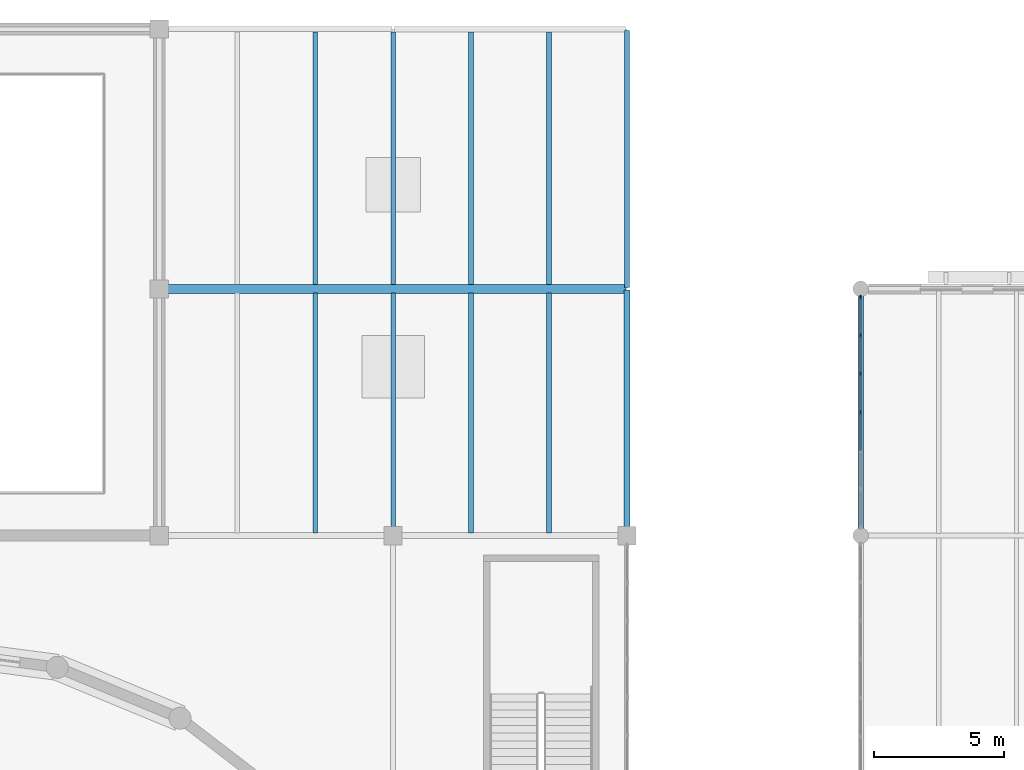
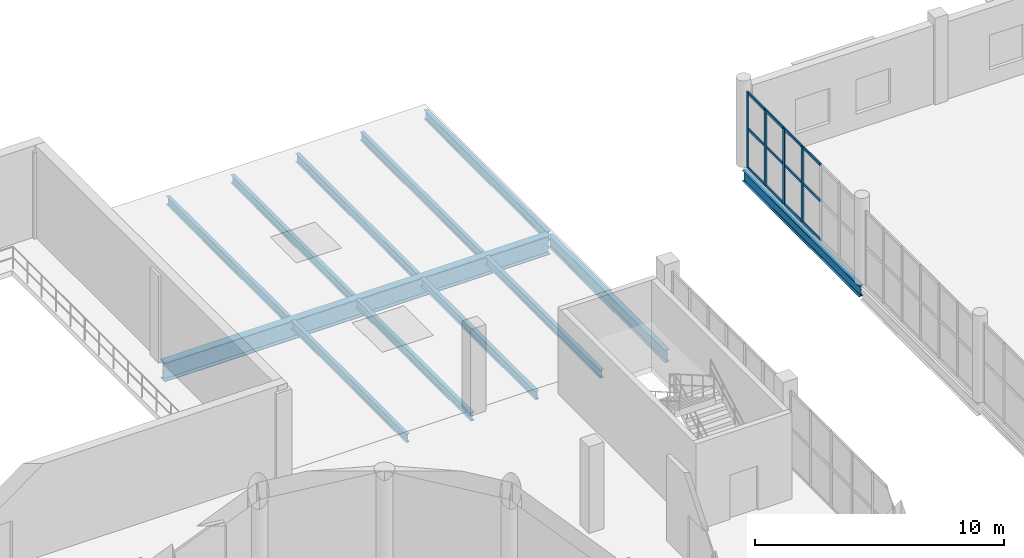
# One storey, part 39 of 73: 16 members, 12 beams, 1 element without a shape of its own.
"""IFC4 building model written with IfcOpenShell, lengths in metres."""

import ifcopenshell
import ifcopenshell.guid

model = None  # the IFC model being written
_history = None  # IfcOwnerHistory: only IFC2X3 demands one
_inside = {}  # id of a spatial element -> (the spatial element, [elements in it])
_under = {}  # id of a project, library or spatial element -> (it, [spatial elements below it])
_declared = {}  # id of a project -> (the project, [libraries it declares])
_typed = {}  # id of a type object -> (the type object, [elements of that type])
_made_of = {}  # id of a material, layer set ... -> (it, [elements and type objects made of it])


def new_model(schema):
    """Start an empty IFC model of exactly this schema.

    Asked for "IFC4X3", IfcOpenShell would pick the latest addendum, in which some entities
    have other attributes; the version numbers below select the first issue.
    IFC2X3 requires an IfcOwnerHistory on every rooted entity: one is made here for all.
    """
    global model, _history
    if schema == "IFC4X3":
        model = ifcopenshell.file(schema_version=(4, 3, 0, 0))
    else:
        model = ifcopenshell.file(schema=schema)
    _inside.clear()
    _under.clear()
    _declared.clear()
    _typed.clear()
    _made_of.clear()
    _history = None
    if model.schema == "IFC2X3":
        org = make("IfcOrganization", Name="unknown")
        user = make(
            "IfcPersonAndOrganization",
            ThePerson=make("IfcPerson", FamilyName="unknown"),
            TheOrganization=org,
        )
        app = make(
            "IfcApplication",
            ApplicationDeveloper=org,
            Version="unknown",
            ApplicationFullName="unknown",
            ApplicationIdentifier="unknown",
        )
        _history = make(
            "IfcOwnerHistory",
            OwningUser=user,
            OwningApplication=app,
            ChangeAction="ADDED",
            CreationDate=0,
        )
    return model


def make(cls, **values):
    """One entity of the class cls with the attributes given. An attribute that is None is left unset."""
    return model.create_entity(
        cls, **{name: value for name, value in values.items() if value is not None}
    )


def rooted(cls, **values):
    """An entity with a GlobalId (a new one), such as an element, a storey or a relation."""
    return make(cls, GlobalId=ifcopenshell.guid.new(), OwnerHistory=_history, **values)


def si_unit(unit_type, name, prefix=None):
    """IfcSIUnit, for example si_unit("LENGTHUNIT", "METRE", prefix="MILLI")."""
    return make("IfcSIUnit", UnitType=unit_type, Prefix=prefix, Name=name)


def assignment(units):
    """IfcUnitAssignment: the units of a project."""
    return None if units is None else make("IfcUnitAssignment", Units=units)


def point(xyz):
    """IfcCartesianPoint."""
    return None if xyz is None else make("IfcCartesianPoint", Coordinates=xyz)


def direction(xyz):
    """IfcDirection."""
    return None if xyz is None else make("IfcDirection", DirectionRatios=xyz)


def frame(location, z_axis=None, x_axis=None):
    """IfcAxis2Placement3D, a coordinate frame: its origin and axes. An axis left out is left unset."""
    return make(
        "IfcAxis2Placement3D",
        Location=point(location),
        Axis=direction(z_axis),
        RefDirection=direction(x_axis),
    )


def frame_2d(location, x_axis=None):
    """IfcAxis2Placement2D, a coordinate frame in the plane: its origin and x axis."""
    return make(
        "IfcAxis2Placement2D", Location=point(location), RefDirection=direction(x_axis)
    )


def origin():
    """The frame at (0, 0, 0) with its axes left unset."""
    return frame((0.0, 0.0, 0.0))


def origin_2d():
    """The frame at (0, 0) in the plane with its x axis left unset."""
    return frame_2d((0.0, 0.0))


def place(relative_to, where):
    """IfcLocalPlacement: puts the frame where relative to a parent placement (None: the world)."""
    return make(
        "IfcLocalPlacement", PlacementRelTo=relative_to, RelativePlacement=where
    )


def context(
    kind, dimensions, precision=None, world=None, true_north=None, identifier=None
):
    """IfcGeometricRepresentationContext, for example the 3D "Model" context."""
    return make(
        "IfcGeometricRepresentationContext",
        ContextIdentifier=identifier,
        ContextType=kind,
        CoordinateSpaceDimension=dimensions,
        Precision=precision,
        WorldCoordinateSystem=world,
        TrueNorth=true_north,
    )


def subcontext(parent, identifier, kind, view, scale=None):
    """IfcGeometricRepresentationSubContext, for example "Body" below "Model"."""
    return make(
        "IfcGeometricRepresentationSubContext",
        ContextIdentifier=identifier,
        ContextType=kind,
        ParentContext=parent,
        TargetScale=scale,
        TargetView=view,
    )


def project(units=None, contexts=None):
    """IfcProject with its units and contexts."""
    return rooted(
        "IfcProject",
        Name="project",
        RepresentationContexts=contexts,
        UnitsInContext=assignment(units),
    )


def spatial(cls, under=None, at=None, **own):
    """A site, building, storey or space (cls), placed at a placement, below another one or the project."""
    s = rooted(cls, ObjectPlacement=at, **own)
    if under is not None:
        _under.setdefault(under.id(), (under, []))[1].append(s)
    return s


def profile(cls, at=None, kind="AREA", **sizes):
    """A parametric profile (cls). Its sizes go by their IFC names, for example OverallWidth=200.0."""
    return make(cls, ProfileType=kind, Position=at, **sizes)


def rectangle(**sizes):
    """IfcRectangleProfileDef."""
    return profile("IfcRectangleProfileDef", **sizes)


def i_section(**sizes):
    """IfcIShapeProfileDef."""
    return profile("IfcIShapeProfileDef", **sizes)


def extrude(swept, where, along, depth):
    """IfcExtrudedAreaSolid: the profile swept, set in the frame where, extruded along a direction by depth."""
    return make(
        "IfcExtrudedAreaSolid",
        SweptArea=swept,
        Position=where,
        ExtrudedDirection=direction(along),
        Depth=depth,
    )


def shape(context_of_items, identifier, shape_type, items):
    """IfcShapeRepresentation: the items that make up one representation, for example the "Body"."""
    return make(
        "IfcShapeRepresentation",
        ContextOfItems=context_of_items,
        RepresentationIdentifier=identifier,
        RepresentationType=shape_type,
        Items=items,
    )


def material(Name=None, Category=None):
    """IfcMaterial."""
    return make("IfcMaterial", Name=Name, Category=Category)


def layer(
    of_material, thickness, ventilated=None, Name=None, Category=None, Priority=None
):
    """IfcMaterialLayer: one layer of a wall or slab, of a material (None: an air gap)."""
    return make(
        "IfcMaterialLayer",
        Material=of_material,
        LayerThickness=thickness,
        IsVentilated=ventilated,
        Name=Name,
        Category=Category,
        Priority=Priority,
    )


def layer_set(layers, Name=None):
    """IfcMaterialLayerSet."""
    return make("IfcMaterialLayerSet", MaterialLayers=layers, LayerSetName=Name)


def material_profile(
    of_material, cross_section, Name=None, Category=None, Priority=None
):
    """IfcMaterialProfile: a cross section and its material."""
    return make(
        "IfcMaterialProfile",
        Name=Name,
        Material=of_material,
        Profile=cross_section,
        Priority=Priority,
        Category=Category,
    )


def profile_set(profiles, Name=None, composite=None):
    """IfcMaterialProfileSet."""
    return make(
        "IfcMaterialProfileSet",
        Name=Name,
        MaterialProfiles=profiles,
        CompositeProfile=composite,
    )


def made_of(thing, what):
    """Note that an element or type object is made of a material, layer set ...; save() writes the relation."""
    if what is not None:
        _made_of.setdefault(what.id(), (what, []))[1].append(thing)
    return thing


def type_object(cls, material=None, **own):
    """A type object (cls), such as IfcWallType, which elements share."""
    return made_of(rooted(cls, **own), material)


def element(
    cls,
    number,
    at=None,
    inside=None,
    cuts=None,
    type_object=None,
    material=None,
    context=None,
    identifier="Body",
    shape_type=None,
    held_by="IfcProductDefinitionShape",
    body=None,
    shapes=None,
    **own,
):
    """One element of the class cls, such as IfcWall. Its Tag is "e" and its number.

    at: its placement. inside: the storey or other place that contains it. cuts: it is an
    opening in that element (IfcRelVoidsElement). A single representation is given by context,
    identifier, shape_type and body (its items); several are given by shapes. held_by: the class
    of the entity that holds the representations. save() writes the other relations.
    """
    e = rooted(cls, Tag="e%d" % number, ObjectPlacement=at, **own)
    if body is not None:
        shapes = [shape(context, identifier, shape_type, body)]
    if shapes is not None:
        e.Representation = make(held_by, Representations=shapes)
    if inside is not None:
        _inside.setdefault(inside.id(), (inside, []))[1].append(e)
    if cuts is not None:
        rooted(
            "IfcRelVoidsElement", RelatingBuildingElement=cuts, RelatedOpeningElement=e
        )
    if type_object is not None:
        _typed.setdefault(type_object.id(), (type_object, []))[1].append(e)
    return made_of(e, material)


def aggregate(whole, parts):
    """IfcRelAggregates: a whole, such as a stair, and the parts it consists of."""
    return rooted("IfcRelAggregates", RelatingObject=whole, RelatedObjects=parts)


def save(model, path):
    """Write the relations noted so far, then the file.

    IfcRelAggregates (storeys below a building ...), IfcRelContainedInSpatialStructure (elements
    in a storey), IfcRelDefinesByType, IfcRelAssociatesMaterial and IfcRelDeclares: one each for
    every whole, place, type object, material and project.
    """
    for whole, parts in _under.values():
        aggregate(whole, parts)
    for where, things in _inside.values():
        rooted(
            "IfcRelContainedInSpatialStructure",
            RelatedElements=things,
            RelatingStructure=where,
        )
    for kind, things in _typed.values():
        rooted("IfcRelDefinesByType", RelatedObjects=things, RelatingType=kind)
    for what, things in _made_of.values():
        rooted("IfcRelAssociatesMaterial", RelatedObjects=things, RelatingMaterial=what)
    for by, libraries in _declared.values():
        rooted("IfcRelDeclares", RelatingContext=by, RelatedDefinitions=libraries)
    model.write(path)


model = new_model("IFC4")

# Units and contexts
model_context = context("Model", 3, precision=1e-05, world=origin(), true_north=direction((0.0, 1.0)))
body_context = subcontext(model_context, "Body", "Model", "MODEL_VIEW")
ifc_project = project(units=[si_unit("LENGTHUNIT", "METRE"), si_unit("AREAUNIT", "SQUARE_METRE"), si_unit("VOLUMEUNIT", "CUBIC_METRE"), si_unit("PLANEANGLEUNIT", "RADIAN"), si_unit("MASSUNIT", "GRAM", prefix="KILO")], contexts=[model_context])

# Site, building, storey
site_placement = place(None, origin())
site = spatial("IfcSite", under=ifc_project, at=site_placement, CompositionType="ELEMENT")
building_placement = place(site_placement, origin())
building = spatial("IfcBuilding", under=site, at=building_placement, Name="Marnock Terrace Opera House", CompositionType="ELEMENT")
storey_placement = place(building_placement, frame((0.0, 0.0, 14.699951171875)))
storey = spatial("IfcBuildingStorey", under=building, at=storey_placement, Name="L03", CompositionType="ELEMENT", Elevation=14.699951171875)

# Beams
ifc_material_1 = material(Name="Steel Grade 350 (AS/NZS 3679.1)", Category="steel")
ifc_material_profile_1 = material_profile(ifc_material_1, i_section(OverallWidth=0.18994140625, OverallDepth=0.45751953125, WebThickness=0.009033203125, FlangeThickness=0.014404296875, FilletRadius=0.011474609375, at=origin_2d()))
ifc_profile_set_1 = profile_set([ifc_material_profile_1], Name="Steel Grade 350 (AS/NZS 3679.1)")
beam_type_1 = type_object("IfcBeamType", Name="BM-GIRD-460B", PredefinedType="BEAM", material=ifc_profile_set_1)
beam_1_placement = place(storey_placement, frame((109.0, 94.050048828125, -0.44873046875), z_axis=(0.0, 1.0, 0.0), x_axis=(-1.0, 0.0, 0.0)))
element("IfcBeam", 1, at=beam_1_placement, inside=storey, type_object=beam_type_1, Name="L03 girder (X=109.0, 94.0..104.0)", PredefinedType="BEAM", context=body_context, shape_type="SweptSolid", body=[
    extrude(i_section(OverallWidth=0.18994140625, OverallDepth=0.45751953125, WebThickness=0.009033203125, FlangeThickness=0.014404296875, FilletRadius=0.011474609375, at=origin_2d()), origin(), (0.0, 0.0, 1.0), 9.89990234375),
])
ifc_material_profile_2 = material_profile(ifc_material_1, i_section(OverallWidth=0.208984375, OverallDepth=0.528076171875, WebThickness=0.009521484375, FlangeThickness=0.01318359375, FilletRadius=0.013916015625, at=origin_2d()))
ifc_profile_set_2 = profile_set([ifc_material_profile_2], Name="Steel Grade 350 (AS/NZS 3679.1)")
beam_type_2 = type_object("IfcBeamType", Name="BM-GIRD-530B", PredefinedType="BEAM", material=ifc_profile_set_2)
beam_2_placement = place(storey_placement, frame((118.0, 84.550048828125, -0.52392578125), z_axis=(0.0, 1.0, 0.0), x_axis=(-1.0, 0.0, 0.0)))
element("IfcBeam", 2, at=beam_2_placement, inside=storey, type_object=beam_type_2, Name="L03 girder (X=118.0, 84.5..94.0)", PredefinedType="BEAM", context=body_context, shape_type="SweptSolid", body=[
    extrude(i_section(OverallWidth=0.208984375, OverallDepth=0.528076171875, WebThickness=0.009521484375, FlangeThickness=0.01318359375, FilletRadius=0.013916015625, at=origin_2d()), origin(), (0.0, 0.0, 1.0), 9.39990234375),
])
ifc_material_profile_3 = material_profile(ifc_material_1, i_section(OverallWidth=0.22802734375, OverallDepth=0.60205078125, WebThickness=0.010498046875, FlangeThickness=0.014892578125, FilletRadius=0.013916015625, at=origin_2d()))
ifc_profile_set_3 = profile_set([ifc_material_profile_3], Name="Steel Grade 350 (AS/NZS 3679.1)")
beam_type_3 = type_object("IfcBeamType", Name="BM-GIRD-610C", PredefinedType="BEAM", material=ifc_profile_set_3)
beam_3_placement = place(storey_placement, frame((109.0, 84.550048828125, -0.56103515625), z_axis=(0.0, 1.0, 0.0), x_axis=(-1.0, 0.0, 0.0)))
element("IfcBeam", 3, at=beam_3_placement, inside=storey, type_object=beam_type_3, Name="L03 girder (X=109.0, 84.5..94.0)", PredefinedType="BEAM", context=body_context, shape_type="SweptSolid", body=[
    extrude(i_section(OverallWidth=0.22802734375, OverallDepth=0.60205078125, WebThickness=0.010498046875, FlangeThickness=0.014892578125, FilletRadius=0.013916015625, at=origin_2d()), origin(), (0.0, 0.0, 1.0), 9.39990234375),
])
ifc_material_profile_4 = material_profile(ifc_material_1, i_section(OverallWidth=0.177978515625, OverallDepth=0.406494140625, WebThickness=0.0078125, FlangeThickness=0.0126953125, FilletRadius=0.011474609375, at=origin_2d()))
ifc_profile_set_4 = profile_set([ifc_material_profile_4], Name="Steel Grade 350 (AS/NZS 3679.1)")
beam_type_4 = type_object("IfcBeamType", Name="BM-JOIST-410", PredefinedType="JOIST", material=ifc_profile_set_4)
for number, where, z_axis, x_axis, name in (
    (4, (97.0, 84.60498046875, -0.423095703125), (0.0, 1.0, 0.0), (-1.0, 0.0, 0.0), "L03 side-stage roof joist 91.84.2"),
    (5, (100.0, 84.60498046875, -0.423095703125), (0.0, 1.0, 0.0), (-1.0, 0.0, 0.0), "L03 side-stage roof joist 91.84.3"),
    (6, (103.0, 84.60498046875, -0.423095703125), (0.0, 1.0, 0.0), (-1.0, 0.0, 0.0), "L03 side-stage roof joist 91.84.4"),
    (7, (106.0, 84.60498046875, -0.423095703125), (0.0, 1.0, 0.0), (-1.0, 0.0, 0.0), "L03 side-stage roof joist 91.84.5"),
):
    element("IfcBeam", number, at=place(storey_placement, frame(where, z_axis=z_axis, x_axis=x_axis)), inside=storey, type_object=beam_type_4, Name=name, PredefinedType="JOIST", context=body_context, shape_type="SweptSolid", body=[
        extrude(i_section(OverallWidth=0.177978515625, OverallDepth=0.406494140625, WebThickness=0.0078125, FlangeThickness=0.0126953125, FilletRadius=0.011474609375, at=origin_2d()), origin(), (0.0, 0.0, 1.0), 9.22998046875),
    ])
for number, where, z_axis, x_axis, name in (
    (8, (97.0, 94.1650390625, -0.423095703125), (0.0, 1.0, 0.0), (-1.0, 0.0, 0.0), "L03 side-stage roof joist 91.94.2"),
    (9, (100.0, 94.1650390625, -0.423095703125), (0.0, 1.0, 0.0), (-1.0, 0.0, 0.0), "L03 side-stage roof joist 91.94.3"),
    (10, (103.0, 94.1650390625, -0.423095703125), (0.0, 1.0, 0.0), (-1.0, 0.0, 0.0), "L03 side-stage roof joist 91.94.4"),
    (11, (106.0, 94.1650390625, -0.423095703125), (0.0, 1.0, 0.0), (-1.0, 0.0, 0.0), "L03 side-stage roof joist 91.94.5"),
):
    element("IfcBeam", number, at=place(storey_placement, frame(where, z_axis=z_axis, x_axis=x_axis)), inside=storey, type_object=beam_type_4, Name=name, PredefinedType="JOIST", context=body_context, shape_type="SweptSolid", body=[
        extrude(i_section(OverallWidth=0.177978515625, OverallDepth=0.406494140625, WebThickness=0.0078125, FlangeThickness=0.0126953125, FilletRadius=0.011474609375, at=origin_2d()), origin(), (0.0, 0.0, 1.0), 9.72998046875),
    ])
ifc_material_2 = material(Name="Steel Grade 350 Welded (AS/NZS 3679.2)", Category="steel")
ifc_material_profile_5 = material_profile(ifc_material_2, i_section(OverallWidth=0.35009765625, OverallDepth=0.924072265625, WebThickness=0.01611328125, FlangeThickness=0.031982421875, at=origin_2d()))
ifc_profile_set_5 = profile_set([ifc_material_profile_5], Name="Steel Grade 350 Welded (AS/NZS 3679.2)")
beam_type_5 = type_object("IfcBeamType", Name="BM-VALLEY-900", PredefinedType="BEAM", material=ifc_profile_set_5)
beam_4_placement = place(storey_placement, frame((91.050048828125, 94.0, -0.721923828125), z_axis=(1.0, 0.0, 0.0), x_axis=(0.0, 1.0, 0.0)))
element("IfcBeam", 12, at=beam_4_placement, inside=storey, type_object=beam_type_5, Name="L03 girder (91.0..109.0, Y=94.0)", PredefinedType="BEAM", context=body_context, shape_type="SweptSolid", body=[
    extrude(i_section(OverallWidth=0.35009765625, OverallDepth=0.924072265625, WebThickness=0.01611328125, FlangeThickness=0.031982421875, at=origin_2d()), origin(), (0.0, 0.0, 1.0), 17.89990234375),
])

# Curtain wall, members
ifc_material_3 = material(Name="Anodised architectural bronze aluminium framing", Category="aluminium")
ifc_layer = layer(ifc_material_3, 0.159912109375)
ifc_layer_set = layer_set([ifc_layer], Name="Anodised architectural bronze aluminium framing")
curtain_wall_type = type_object("IfcCurtainWallType", Name="CW-FOYER-95x42", PredefinedType="NOTDEFINED", material=ifc_layer_set)
curtain_wall_placement = place(storey_placement, origin())
curtain_wall = element("IfcCurtainWall", 13, at=curtain_wall_placement, inside=storey, type_object=curtain_wall_type, Name="L03 glazed Beaux-Arts colonnade curtain wall CW-V5-L03-W7", PredefinedType="NOTDEFINED")
ifc_material_profile_6 = material_profile(ifc_material_3, rectangle(XDim=0.06005859375, YDim=0.14990234375, at=origin_2d()))
ifc_profile_set_6 = profile_set([ifc_material_profile_6], Name="Anodised architectural bronze aluminium framing")
member_type_1 = type_object("IfcMemberType", Name="CWM-60x150", PredefinedType="MULLION", material=ifc_profile_set_6)
member_1_placement = place(storey_placement, frame((118.0, 89.25, 0.0), z_axis=(0.0, 0.0, 1.0), x_axis=(-1.0, 0.0, 0.0)))
member_1 = element("IfcMember", 14, at=member_1_placement, type_object=member_type_1, Name="CW-17 mullion 4", PredefinedType="MULLION", context=body_context, shape_type="SweptSolid", body=[
    extrude(rectangle(XDim=0.06005859375, YDim=0.14990234375, at=origin_2d()), origin(), (0.0, 0.0, 1.0), 3.72216796875),
])
member_2_placement = place(storey_placement, frame((118.0, 90.734619140625, 0.0), z_axis=(0.0, 0.0, 1.0), x_axis=(-1.0, 0.0, 0.0)))
member_2 = element("IfcMember", 15, at=member_2_placement, type_object=member_type_1, Name="CW-17 mullion 5", PredefinedType="MULLION", context=body_context, shape_type="SweptSolid", body=[
    extrude(rectangle(XDim=0.06005859375, YDim=0.14990234375, at=origin_2d()), origin(), (0.0, 0.0, 1.0), 3.72216796875),
])
member_3_placement = place(storey_placement, frame((118.0, 92.21923828125, 0.0), z_axis=(0.0, 0.0, 1.0), x_axis=(-1.0, 0.0, 0.0)))
member_3 = element("IfcMember", 16, at=member_3_placement, type_object=member_type_1, Name="CW-17 mullion 6", PredefinedType="MULLION", context=body_context, shape_type="SweptSolid", body=[
    extrude(rectangle(XDim=0.06005859375, YDim=0.14990234375, at=origin_2d()), origin(), (0.0, 0.0, 1.0), 3.72216796875),
])
member_4_placement = place(storey_placement, frame((118.0, 93.674072265625, 0.0), z_axis=(0.0, 0.0, 1.0), x_axis=(-1.0, 0.0, 0.0)))
member_4 = element("IfcMember", 17, at=member_4_placement, type_object=member_type_1, Name="CW-17 mullion 7", PredefinedType="MULLION", context=body_context, shape_type="SweptSolid", body=[
    extrude(rectangle(XDim=0.06005859375, YDim=0.14990234375, at=origin_2d()), origin(), (0.0, 0.0, 1.0), 3.72216796875),
])
ifc_material_profile_7 = material_profile(ifc_material_3, rectangle(XDim=0.06005859375, YDim=0.1298828125, at=origin_2d()))
ifc_profile_set_7 = profile_set([ifc_material_profile_7], Name="Anodised architectural bronze aluminium framing")
member_type_2 = type_object("IfcMemberType", Name="CWT-60x130", PredefinedType="USERDEFINED", material=ifc_profile_set_7)
member_5_placement = place(storey_placement, frame((118.0, 87.79541015625, 0.030029296875), z_axis=(0.0, 1.0, 0.0), x_axis=(-1.0, 0.0, 0.0)))
member_5 = element("IfcMember", 18, at=member_5_placement, type_object=member_type_2, Name="CW-17 transom 3.1", ObjectType="TRANSOM", PredefinedType="USERDEFINED", context=body_context, shape_type="SweptSolid", body=[
    extrude(rectangle(XDim=0.06005859375, YDim=0.1298828125, at=origin_2d()), origin(), (0.0, 0.0, 1.0), 1.424560546875),
])
member_6_placement = place(storey_placement, frame((118.0, 87.79541015625, 1.935546875), z_axis=(0.0, 1.0, 0.0), x_axis=(-1.0, 0.0, 0.0)))
member_6 = element("IfcMember", 19, at=member_6_placement, type_object=member_type_2, Name="CW-17 transom 3.2", ObjectType="TRANSOM", PredefinedType="USERDEFINED", context=body_context, shape_type="SweptSolid", body=[
    extrude(rectangle(XDim=0.06005859375, YDim=0.1298828125, at=origin_2d()), origin(), (0.0, 0.0, 1.0), 1.424560546875),
])
member_7_placement = place(storey_placement, frame((118.0, 87.79541015625, 3.692138671875), z_axis=(0.0, 1.0, 0.0), x_axis=(-1.0, 0.0, 0.0)))
member_7 = element("IfcMember", 20, at=member_7_placement, type_object=member_type_2, Name="CW-17 transom 3.3", ObjectType="TRANSOM", PredefinedType="USERDEFINED", context=body_context, shape_type="SweptSolid", body=[
    extrude(rectangle(XDim=0.06005859375, YDim=0.1298828125, at=origin_2d()), origin(), (0.0, 0.0, 1.0), 1.424560546875),
])
member_8_placement = place(storey_placement, frame((118.0, 89.280029296875, 0.030029296875), z_axis=(0.0, 1.0, 0.0), x_axis=(-1.0, 0.0, 0.0)))
member_8 = element("IfcMember", 21, at=member_8_placement, type_object=member_type_2, Name="CW-17 transom 4.1", ObjectType="TRANSOM", PredefinedType="USERDEFINED", context=body_context, shape_type="SweptSolid", body=[
    extrude(rectangle(XDim=0.06005859375, YDim=0.1298828125, at=origin_2d()), origin(), (0.0, 0.0, 1.0), 1.424560546875),
])
member_9_placement = place(storey_placement, frame((118.0, 89.280029296875, 1.935546875), z_axis=(0.0, 1.0, 0.0), x_axis=(-1.0, 0.0, 0.0)))
member_9 = element("IfcMember", 22, at=member_9_placement, type_object=member_type_2, Name="CW-17 transom 4.2", ObjectType="TRANSOM", PredefinedType="USERDEFINED", context=body_context, shape_type="SweptSolid", body=[
    extrude(rectangle(XDim=0.06005859375, YDim=0.1298828125, at=origin_2d()), origin(), (0.0, 0.0, 1.0), 1.424560546875),
])
member_10_placement = place(storey_placement, frame((118.0, 89.280029296875, 3.692138671875), z_axis=(0.0, 1.0, 0.0), x_axis=(-1.0, 0.0, 0.0)))
member_10 = element("IfcMember", 23, at=member_10_placement, type_object=member_type_2, Name="CW-17 transom 4.3", ObjectType="TRANSOM", PredefinedType="USERDEFINED", context=body_context, shape_type="SweptSolid", body=[
    extrude(rectangle(XDim=0.06005859375, YDim=0.1298828125, at=origin_2d()), origin(), (0.0, 0.0, 1.0), 1.424560546875),
])
member_11_placement = place(storey_placement, frame((118.0, 90.7646484375, 0.030029296875), z_axis=(0.0, 1.0, 0.0), x_axis=(-1.0, 0.0, 0.0)))
member_11 = element("IfcMember", 24, at=member_11_placement, type_object=member_type_2, Name="CW-17 transom 5.1", ObjectType="TRANSOM", PredefinedType="USERDEFINED", context=body_context, shape_type="SweptSolid", body=[
    extrude(rectangle(XDim=0.06005859375, YDim=0.1298828125, at=origin_2d()), origin(), (0.0, 0.0, 1.0), 1.4248046875),
])
member_12_placement = place(storey_placement, frame((118.0, 90.7646484375, 1.935546875), z_axis=(0.0, 1.0, 0.0), x_axis=(-1.0, 0.0, 0.0)))
member_12 = element("IfcMember", 25, at=member_12_placement, type_object=member_type_2, Name="CW-17 transom 5.2", ObjectType="TRANSOM", PredefinedType="USERDEFINED", context=body_context, shape_type="SweptSolid", body=[
    extrude(rectangle(XDim=0.06005859375, YDim=0.1298828125, at=origin_2d()), origin(), (0.0, 0.0, 1.0), 1.4248046875),
])
member_13_placement = place(storey_placement, frame((118.0, 90.7646484375, 3.692138671875), z_axis=(0.0, 1.0, 0.0), x_axis=(-1.0, 0.0, 0.0)))
member_13 = element("IfcMember", 26, at=member_13_placement, type_object=member_type_2, Name="CW-17 transom 5.3", ObjectType="TRANSOM", PredefinedType="USERDEFINED", context=body_context, shape_type="SweptSolid", body=[
    extrude(rectangle(XDim=0.06005859375, YDim=0.1298828125, at=origin_2d()), origin(), (0.0, 0.0, 1.0), 1.4248046875),
])
member_14_placement = place(storey_placement, frame((118.0, 92.249267578125, 0.030029296875), z_axis=(0.0, 1.0, 0.0), x_axis=(-1.0, 0.0, 0.0)))
member_14 = element("IfcMember", 27, at=member_14_placement, type_object=member_type_2, Name="CW-17 transom 6.1", ObjectType="TRANSOM", PredefinedType="USERDEFINED", context=body_context, shape_type="SweptSolid", body=[
    extrude(rectangle(XDim=0.06005859375, YDim=0.1298828125, at=origin_2d()), origin(), (0.0, 0.0, 1.0), 1.394775390625),
])
member_15_placement = place(storey_placement, frame((118.0, 92.249267578125, 1.935546875), z_axis=(0.0, 1.0, 0.0), x_axis=(-1.0, 0.0, 0.0)))
member_15 = element("IfcMember", 28, at=member_15_placement, type_object=member_type_2, Name="CW-17 transom 6.2", ObjectType="TRANSOM", PredefinedType="USERDEFINED", context=body_context, shape_type="SweptSolid", body=[
    extrude(rectangle(XDim=0.06005859375, YDim=0.1298828125, at=origin_2d()), origin(), (0.0, 0.0, 1.0), 1.394775390625),
])
member_16_placement = place(storey_placement, frame((118.0, 92.249267578125, 3.692138671875), z_axis=(0.0, 1.0, 0.0), x_axis=(-1.0, 0.0, 0.0)))
member_16 = element("IfcMember", 29, at=member_16_placement, type_object=member_type_2, Name="CW-17 transom 6.3", ObjectType="TRANSOM", PredefinedType="USERDEFINED", context=body_context, shape_type="SweptSolid", body=[
    extrude(rectangle(XDim=0.06005859375, YDim=0.1298828125, at=origin_2d()), origin(), (0.0, 0.0, 1.0), 1.394775390625),
])
aggregate(curtain_wall, [member_1, member_2, member_3, member_4, member_5, member_6, member_7, member_8, member_9, member_10, member_11, member_12, member_13, member_14, member_15, member_16])

save(model, "model.ifc")
